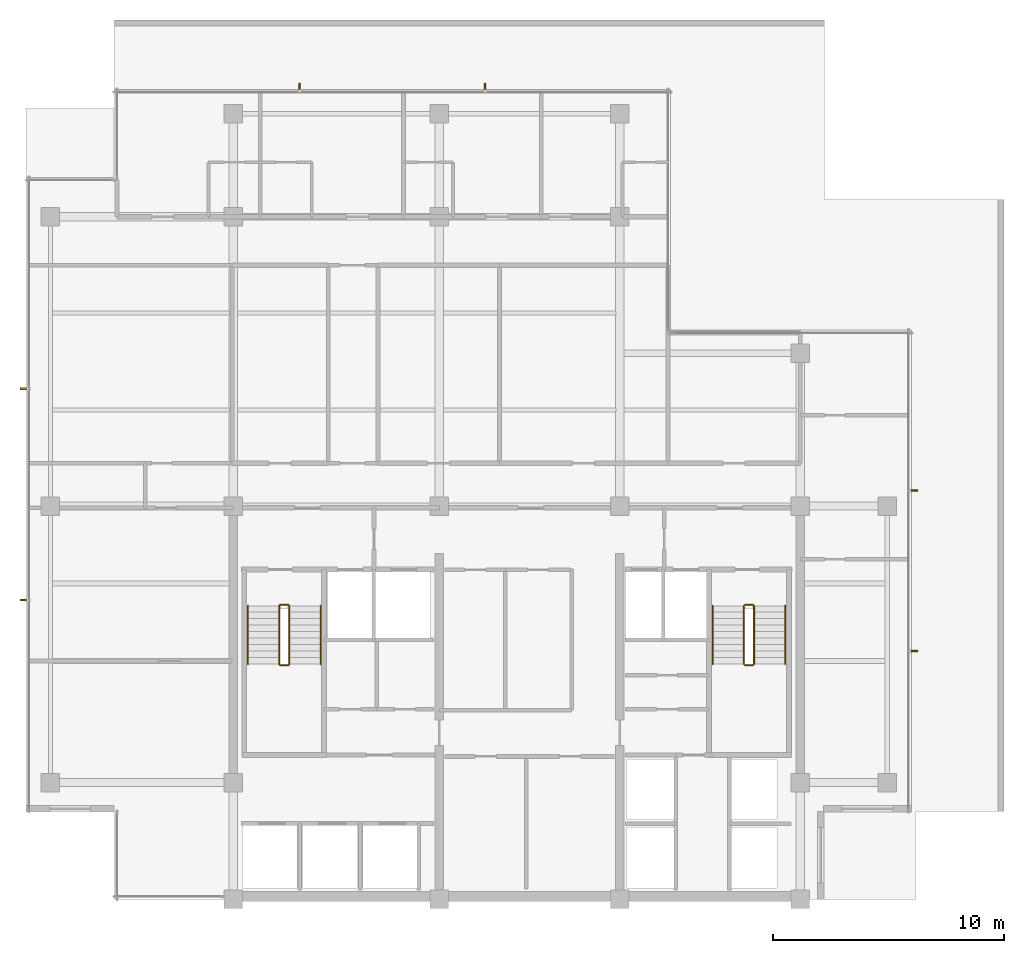
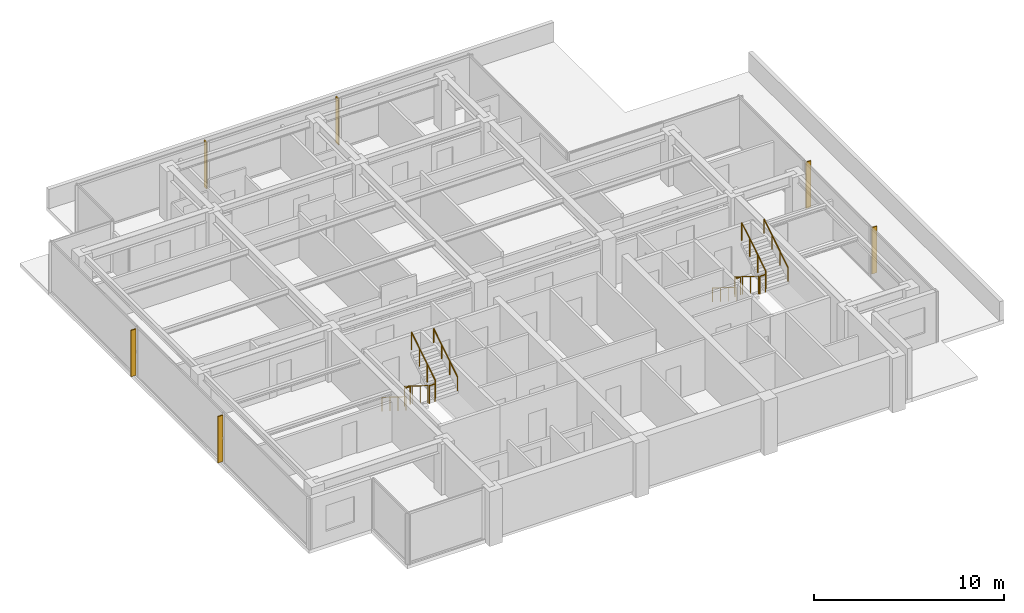
# One storey, part 11 of 11: 12 railings, 6 shading devices.
"""IFC4 building model written with IfcOpenShell, lengths in metres."""

import ifcopenshell
import ifcopenshell.guid

model = None  # the IFC model being written
_history = None  # IfcOwnerHistory: only IFC2X3 demands one
_inside = {}  # id of a spatial element -> (the spatial element, [elements in it])
_under = {}  # id of a project, library or spatial element -> (it, [spatial elements below it])
_declared = {}  # id of a project -> (the project, [libraries it declares])
_typed = {}  # id of a type object -> (the type object, [elements of that type])
_made_of = {}  # id of a material, layer set ... -> (it, [elements and type objects made of it])


def new_model(schema):
    """Start an empty IFC model of exactly this schema.

    Asked for "IFC4X3", IfcOpenShell would pick the latest addendum, in which some entities
    have other attributes; the version numbers below select the first issue.
    IFC2X3 requires an IfcOwnerHistory on every rooted entity: one is made here for all.
    """
    global model, _history
    if schema == "IFC4X3":
        model = ifcopenshell.file(schema_version=(4, 3, 0, 0))
    else:
        model = ifcopenshell.file(schema=schema)
    _inside.clear()
    _under.clear()
    _declared.clear()
    _typed.clear()
    _made_of.clear()
    _history = None
    if model.schema == "IFC2X3":
        org = make("IfcOrganization", Name="unknown")
        user = make(
            "IfcPersonAndOrganization",
            ThePerson=make("IfcPerson", FamilyName="unknown"),
            TheOrganization=org,
        )
        app = make(
            "IfcApplication",
            ApplicationDeveloper=org,
            Version="unknown",
            ApplicationFullName="unknown",
            ApplicationIdentifier="unknown",
        )
        _history = make(
            "IfcOwnerHistory",
            OwningUser=user,
            OwningApplication=app,
            ChangeAction="ADDED",
            CreationDate=0,
        )
    return model


def make(cls, **values):
    """One entity of the class cls with the attributes given. An attribute that is None is left unset."""
    return model.create_entity(
        cls, **{name: value for name, value in values.items() if value is not None}
    )


def rooted(cls, **values):
    """An entity with a GlobalId (a new one), such as an element, a storey or a relation."""
    return make(cls, GlobalId=ifcopenshell.guid.new(), OwnerHistory=_history, **values)


def si_unit(unit_type, name, prefix=None):
    """IfcSIUnit, for example si_unit("LENGTHUNIT", "METRE", prefix="MILLI")."""
    return make("IfcSIUnit", UnitType=unit_type, Prefix=prefix, Name=name)


def assignment(units):
    """IfcUnitAssignment: the units of a project."""
    return None if units is None else make("IfcUnitAssignment", Units=units)


def point(xyz):
    """IfcCartesianPoint."""
    return None if xyz is None else make("IfcCartesianPoint", Coordinates=xyz)


def direction(xyz):
    """IfcDirection."""
    return None if xyz is None else make("IfcDirection", DirectionRatios=xyz)


def frame(location, z_axis=None, x_axis=None):
    """IfcAxis2Placement3D, a coordinate frame: its origin and axes. An axis left out is left unset."""
    return make(
        "IfcAxis2Placement3D",
        Location=point(location),
        Axis=direction(z_axis),
        RefDirection=direction(x_axis),
    )


def frame_2d(location, x_axis=None):
    """IfcAxis2Placement2D, a coordinate frame in the plane: its origin and x axis."""
    return make(
        "IfcAxis2Placement2D", Location=point(location), RefDirection=direction(x_axis)
    )


def origin():
    """The frame at (0, 0, 0) with its axes left unset."""
    return frame((0.0, 0.0, 0.0))


def origin_2d():
    """The frame at (0, 0) in the plane with its x axis left unset."""
    return frame_2d((0.0, 0.0))


def place(relative_to, where):
    """IfcLocalPlacement: puts the frame where relative to a parent placement (None: the world)."""
    return make(
        "IfcLocalPlacement", PlacementRelTo=relative_to, RelativePlacement=where
    )


def context(
    kind, dimensions, precision=None, world=None, true_north=None, identifier=None
):
    """IfcGeometricRepresentationContext, for example the 3D "Model" context."""
    return make(
        "IfcGeometricRepresentationContext",
        ContextIdentifier=identifier,
        ContextType=kind,
        CoordinateSpaceDimension=dimensions,
        Precision=precision,
        WorldCoordinateSystem=world,
        TrueNorth=true_north,
    )


def subcontext(parent, identifier, kind, view, scale=None):
    """IfcGeometricRepresentationSubContext, for example "Body" below "Model"."""
    return make(
        "IfcGeometricRepresentationSubContext",
        ContextIdentifier=identifier,
        ContextType=kind,
        ParentContext=parent,
        TargetScale=scale,
        TargetView=view,
    )


def project(units=None, contexts=None):
    """IfcProject with its units and contexts."""
    return rooted(
        "IfcProject",
        Name="project",
        RepresentationContexts=contexts,
        UnitsInContext=assignment(units),
    )


def spatial(cls, under=None, at=None, **own):
    """A site, building, storey or space (cls), placed at a placement, below another one or the project."""
    s = rooted(cls, ObjectPlacement=at, **own)
    if under is not None:
        _under.setdefault(under.id(), (under, []))[1].append(s)
    return s


def polyline(points):
    """IfcPolyline through the points."""
    return make("IfcPolyline", Points=[point(p) for p in points])


def profile(cls, at=None, kind="AREA", **sizes):
    """A parametric profile (cls). Its sizes go by their IFC names, for example OverallWidth=200.0."""
    return make(cls, ProfileType=kind, Position=at, **sizes)


def circle(**sizes):
    """IfcCircleProfileDef."""
    return profile("IfcCircleProfileDef", **sizes)


def outline(outer, holes=None, kind="AREA"):
    """IfcArbitraryClosedProfileDef: a profile drawn as a closed curve; with holes, ...WithVoids."""
    if holes is None:
        return make("IfcArbitraryClosedProfileDef", ProfileType=kind, OuterCurve=outer)
    return make(
        "IfcArbitraryProfileDefWithVoids",
        ProfileType=kind,
        OuterCurve=outer,
        InnerCurves=holes,
    )


def extrude(swept, where, along, depth):
    """IfcExtrudedAreaSolid: the profile swept, set in the frame where, extruded along a direction by depth."""
    return make(
        "IfcExtrudedAreaSolid",
        SweptArea=swept,
        Position=where,
        ExtrudedDirection=direction(along),
        Depth=depth,
    )


def shape(context_of_items, identifier, shape_type, items):
    """IfcShapeRepresentation: the items that make up one representation, for example the "Body"."""
    return make(
        "IfcShapeRepresentation",
        ContextOfItems=context_of_items,
        RepresentationIdentifier=identifier,
        RepresentationType=shape_type,
        Items=items,
    )


def material(Name=None, Category=None):
    """IfcMaterial."""
    return make("IfcMaterial", Name=Name, Category=Category)


def layer(
    of_material, thickness, ventilated=None, Name=None, Category=None, Priority=None
):
    """IfcMaterialLayer: one layer of a wall or slab, of a material (None: an air gap)."""
    return make(
        "IfcMaterialLayer",
        Material=of_material,
        LayerThickness=thickness,
        IsVentilated=ventilated,
        Name=Name,
        Category=Category,
        Priority=Priority,
    )


def layer_set(layers, Name=None):
    """IfcMaterialLayerSet."""
    return make("IfcMaterialLayerSet", MaterialLayers=layers, LayerSetName=Name)


def made_of(thing, what):
    """Note that an element or type object is made of a material, layer set ...; save() writes the relation."""
    if what is not None:
        _made_of.setdefault(what.id(), (what, []))[1].append(thing)
    return thing


def type_object(cls, material=None, **own):
    """A type object (cls), such as IfcWallType, which elements share."""
    return made_of(rooted(cls, **own), material)


def element(
    cls,
    number,
    at=None,
    inside=None,
    cuts=None,
    type_object=None,
    material=None,
    context=None,
    identifier="Body",
    shape_type=None,
    held_by="IfcProductDefinitionShape",
    body=None,
    shapes=None,
    **own,
):
    """One element of the class cls, such as IfcWall. Its Tag is "e" and its number.

    at: its placement. inside: the storey or other place that contains it. cuts: it is an
    opening in that element (IfcRelVoidsElement). A single representation is given by context,
    identifier, shape_type and body (its items); several are given by shapes. held_by: the class
    of the entity that holds the representations. save() writes the other relations.
    """
    e = rooted(cls, Tag="e%d" % number, ObjectPlacement=at, **own)
    if body is not None:
        shapes = [shape(context, identifier, shape_type, body)]
    if shapes is not None:
        e.Representation = make(held_by, Representations=shapes)
    if inside is not None:
        _inside.setdefault(inside.id(), (inside, []))[1].append(e)
    if cuts is not None:
        rooted(
            "IfcRelVoidsElement", RelatingBuildingElement=cuts, RelatedOpeningElement=e
        )
    if type_object is not None:
        _typed.setdefault(type_object.id(), (type_object, []))[1].append(e)
    return made_of(e, material)


def aggregate(whole, parts):
    """IfcRelAggregates: a whole, such as a stair, and the parts it consists of."""
    return rooted("IfcRelAggregates", RelatingObject=whole, RelatedObjects=parts)


def save(model, path):
    """Write the relations noted so far, then the file.

    IfcRelAggregates (storeys below a building ...), IfcRelContainedInSpatialStructure (elements
    in a storey), IfcRelDefinesByType, IfcRelAssociatesMaterial and IfcRelDeclares: one each for
    every whole, place, type object, material and project.
    """
    for whole, parts in _under.values():
        aggregate(whole, parts)
    for where, things in _inside.values():
        rooted(
            "IfcRelContainedInSpatialStructure",
            RelatedElements=things,
            RelatingStructure=where,
        )
    for kind, things in _typed.values():
        rooted("IfcRelDefinesByType", RelatedObjects=things, RelatingType=kind)
    for what, things in _made_of.values():
        rooted("IfcRelAssociatesMaterial", RelatedObjects=things, RelatingMaterial=what)
    for by, libraries in _declared.values():
        rooted("IfcRelDeclares", RelatingContext=by, RelatedDefinitions=libraries)
    model.write(path)


model = new_model("IFC4")

# Units and contexts
model_context = context("Model", 3, precision=1e-05, world=origin(), true_north=direction((0.0, 1.0)))
body_context = subcontext(model_context, "Body", "Model", "MODEL_VIEW")
ifc_project = project(units=[si_unit("LENGTHUNIT", "METRE"), si_unit("AREAUNIT", "SQUARE_METRE"), si_unit("VOLUMEUNIT", "CUBIC_METRE"), si_unit("PLANEANGLEUNIT", "RADIAN"), si_unit("MASSUNIT", "GRAM", prefix="KILO")], contexts=[model_context])

# Site, building, storey
site_placement = place(None, origin())
site = spatial("IfcSite", under=ifc_project, at=site_placement, CompositionType="ELEMENT")
building_placement = place(site_placement, origin())
building = spatial("IfcBuilding", under=site, at=building_placement, Name="Qalmaran Belvedere Hotel", CompositionType="ELEMENT")
storey_placement = place(building_placement, frame((0.0, 0.0, 238.89990234375)))
storey = spatial("IfcBuildingStorey", under=building, at=storey_placement, Name="L61", CompositionType="ELEMENT", Elevation=238.89990234375)

# Shading devices
ifc_material_1 = material(Name="Anodised Bronze Aluminium", Category="aluminium")
ifc_layer = layer(ifc_material_1, 0.06494140625, Name="Anodised Bronze Aluminium")
ifc_layer_set = layer_set([ifc_layer], Name="Anodised Bronze Aluminium")
shading_device_type = type_object("IfcShadingDeviceType", Name="FIN-BRNZ-300", PredefinedType="USERDEFINED", material=ifc_layer_set)
shading_device_1_placement = place(storey_placement, frame((0.0, 0.0, 0.16015625)))
element("IfcShadingDevice", 1, at=shading_device_1_placement, inside=storey, type_object=shading_device_type, Name="L61 Bronze Fin 1", ObjectType="FIN", PredefinedType="USERDEFINED", context=body_context, shape_type="SweptSolid", body=[
    extrude(outline(polyline([(49.5673828125, 14.20068359375), (49.867431640625, 14.20068359375), (49.867431640625, 14.265869140625), (49.5673828125, 14.265869140625), (49.5673828125, 14.20068359375)])), origin(), (0.0, 0.0, 1.0), 2.97998046875),
])
shading_device_2_placement = place(storey_placement, frame((0.0, 0.0, 0.16015625)))
element("IfcShadingDevice", 2, at=shading_device_2_placement, inside=storey, type_object=shading_device_type, Name="L61 Bronze Fin 2", ObjectType="FIN", PredefinedType="USERDEFINED", context=body_context, shape_type="SweptSolid", body=[
    extrude(outline(polyline([(49.5673828125, 21.13427734375), (49.867431640625, 21.13427734375), (49.867431640625, 21.19921875), (49.5673828125, 21.19921875), (49.5673828125, 21.13427734375)])), origin(), (0.0, 0.0, 1.0), 2.97998046875),
])
shading_device_3_placement = place(storey_placement, frame((0.0, 0.0, 0.16015625)))
element("IfcShadingDevice", 3, at=shading_device_3_placement, inside=storey, type_object=shading_device_type, Name="L61 Bronze Fin 1", ObjectType="FIN", PredefinedType="USERDEFINED", context=body_context, shape_type="SweptSolid", body=[
    extrude(outline(polyline([(31.2158203125, 38.467529296875), (31.2158203125, 38.767578125), (31.15087890625, 38.767578125), (31.15087890625, 38.467529296875), (31.2158203125, 38.467529296875)])), origin(), (0.0, 0.0, 1.0), 2.97998046875),
])
shading_device_4_placement = place(storey_placement, frame((0.0, 0.0, 0.16015625)))
element("IfcShadingDevice", 4, at=shading_device_4_placement, inside=storey, type_object=shading_device_type, Name="L61 Bronze Fin 2", ObjectType="FIN", PredefinedType="USERDEFINED", context=body_context, shape_type="SweptSolid", body=[
    extrude(outline(polyline([(23.19921875, 38.467529296875), (23.19921875, 38.767578125), (23.13427734375, 38.767578125), (23.13427734375, 38.467529296875), (23.19921875, 38.467529296875)])), origin(), (0.0, 0.0, 1.0), 2.97998046875),
])
shading_device_5_placement = place(storey_placement, frame((0.0, 0.0, 0.16015625)))
element("IfcShadingDevice", 5, at=shading_device_5_placement, inside=storey, type_object=shading_device_type, Name="L61 Bronze Fin 1", ObjectType="FIN", PredefinedType="USERDEFINED", context=body_context, shape_type="SweptSolid", body=[
    extrude(outline(polyline([(11.382568359375, 25.59912109375), (11.08251953125, 25.59912109375), (11.08251953125, 25.5341796875), (11.382568359375, 25.5341796875), (11.382568359375, 25.59912109375)])), origin(), (0.0, 0.0, 1.0), 2.97998046875),
])
shading_device_6_placement = place(storey_placement, frame((0.0, 0.0, 0.16015625)))
element("IfcShadingDevice", 6, at=shading_device_6_placement, inside=storey, type_object=shading_device_type, Name="L61 Bronze Fin 2", ObjectType="FIN", PredefinedType="USERDEFINED", context=body_context, shape_type="SweptSolid", body=[
    extrude(outline(polyline([(11.382568359375, 16.4658203125), (11.08251953125, 16.4658203125), (11.08251953125, 16.40087890625), (11.382568359375, 16.40087890625), (11.382568359375, 16.4658203125)])), origin(), (0.0, 0.0, 1.0), 2.97998046875),
])

# Railings
ifc_material_2 = material(Name="Stainless Steel 1.4401", Category="steel")
railing_type_1 = type_object("IfcRailingType", Name="RLG-STAIR-GUARD-1150", PredefinedType="GUARDRAIL", material=ifc_material_2)
railing_1_placement = place(storey_placement, frame((22.280029296875, 16.18994140625, 0.175048828125)))
element("IfcRailing", 7, at=railing_1_placement, inside=storey, type_object=railing_type_1, Name="L61 ST-1 stair guard 1", PredefinedType="GUARDRAIL", context=body_context, shape_type="SweptSolid", body=[
    extrude(circle(Radius=0.02392578125, at=origin_2d()), frame((0.0, 0.0, 1.1259765625), z_axis=(0.0, -0.848007534815, 0.529984170421), x_axis=(1.0, 0.0, 0.0)), (0.0, 0.0, 1.0), 2.9716796875),
    extrude(circle(Radius=0.02099609375, at=origin_2d()), origin(), (0.0, 0.0, 1.0), 1.101806640625),
    extrude(circle(Radius=0.02099609375, at=origin_2d()), frame((0.0, -0.840087890625, 0.52490234375)), (0.0, 0.0, 1.0), 1.101806640625),
    extrude(circle(Radius=0.02099609375, at=origin_2d()), frame((0.0, -1.679931640625, 1.050048828125)), (0.0, 0.0, 1.0), 1.101806640625),
    extrude(circle(Radius=0.02099609375, at=origin_2d()), frame((0.0, -2.52001953125, 1.574951171875)), (0.0, 0.0, 1.0), 1.101806640625),
])
railing_2_placement = place(storey_placement, frame((22.330078125, 13.6201171875, 1.75)))
element("IfcRailing", 8, at=railing_2_placement, inside=storey, type_object=railing_type_1, Name="L61 ST-1 stair guard 2", PredefinedType="GUARDRAIL", context=body_context, shape_type="SweptSolid", body=[
    extrude(circle(Radius=0.02392578125, at=origin_2d()), frame((0.0, 0.0, 1.1259765625), z_axis=(1.0, 0.0, 0.0), x_axis=(0.0, 1.0, 0.0)), (0.0, 0.0, 1.0), 0.33984375),
    extrude(circle(Radius=0.02099609375, at=origin_2d()), origin(), (0.0, 0.0, 1.0), 1.101806640625),
    extrude(circle(Radius=0.02099609375, at=origin_2d()), frame((0.33984375, 0.0, 0.0)), (0.0, 0.0, 1.0), 1.101806640625),
])
railing_3_placement = place(storey_placement, frame((22.719970703125, 13.669921875, 1.925048828125)))
element("IfcRailing", 9, at=railing_3_placement, inside=storey, type_object=railing_type_1, Name="L61 ST-1 stair guard 3", PredefinedType="GUARDRAIL", context=body_context, shape_type="SweptSolid", body=[
    extrude(circle(Radius=0.02392578125, at=origin_2d()), frame((0.0, 0.0, 1.1259765625), z_axis=(0.0, 0.848007534815, 0.529984170421), x_axis=(-1.0, 0.0, 0.0)), (0.0, 0.0, 1.0), 2.9716796875),
    extrude(circle(Radius=0.02099609375, at=origin_2d()), origin(), (0.0, 0.0, 1.0), 1.101806640625),
    extrude(circle(Radius=0.02099609375, at=origin_2d()), frame((0.0, 0.840087890625, 0.52490234375)), (0.0, 0.0, 1.0), 1.101806640625),
    extrude(circle(Radius=0.02099609375, at=origin_2d()), frame((0.0, 1.679931640625, 1.050048828125)), (0.0, 0.0, 1.0), 1.101806640625),
    extrude(circle(Radius=0.02099609375, at=origin_2d()), frame((0.0, 2.52001953125, 1.574951171875)), (0.0, 0.0, 1.0), 1.101806640625),
])
railing_4_placement = place(storey_placement, frame((22.330078125, 16.239990234375, 0.0)))
element("IfcRailing", 10, at=railing_4_placement, inside=storey, type_object=railing_type_1, Name="L61 ST-1 stair guard 4", PredefinedType="GUARDRAIL", context=body_context, shape_type="SweptSolid", body=[
    extrude(circle(Radius=0.02392578125, at=origin_2d()), frame((0.0, 0.0, 1.1259765625), z_axis=(1.0, 0.0, 0.0), x_axis=(0.0, 1.0, 0.0)), (0.0, 0.0, 1.0), 0.33984375),
    extrude(circle(Radius=0.02099609375, at=origin_2d()), origin(), (0.0, 0.0, 1.0), 1.101806640625),
    extrude(circle(Radius=0.02099609375, at=origin_2d()), frame((0.33984375, 0.0, 0.0)), (0.0, 0.0, 1.0), 1.101806640625),
])
railing_5_placement = place(storey_placement, frame((42.360107421875, 16.18994140625, 0.175048828125)))
element("IfcRailing", 11, at=railing_5_placement, inside=storey, type_object=railing_type_1, Name="L61 ST-2 stair guard 1", PredefinedType="GUARDRAIL", context=body_context, shape_type="SweptSolid", body=[
    extrude(circle(Radius=0.02392578125, at=origin_2d()), frame((0.0, 0.0, 1.1259765625), z_axis=(0.0, -0.848007534815, 0.529984170421), x_axis=(1.0, 0.0, 0.0)), (0.0, 0.0, 1.0), 2.9716796875),
    extrude(circle(Radius=0.02099609375, at=origin_2d()), origin(), (0.0, 0.0, 1.0), 1.101806640625),
    extrude(circle(Radius=0.02099609375, at=origin_2d()), frame((0.0, -0.840087890625, 0.52490234375)), (0.0, 0.0, 1.0), 1.101806640625),
    extrude(circle(Radius=0.02099609375, at=origin_2d()), frame((0.0, -1.679931640625, 1.050048828125)), (0.0, 0.0, 1.0), 1.101806640625),
    extrude(circle(Radius=0.02099609375, at=origin_2d()), frame((0.0, -2.52001953125, 1.574951171875)), (0.0, 0.0, 1.0), 1.101806640625),
])
railing_6_placement = place(storey_placement, frame((42.409912109375, 13.6201171875, 1.75)))
element("IfcRailing", 12, at=railing_6_placement, inside=storey, type_object=railing_type_1, Name="L61 ST-2 stair guard 2", PredefinedType="GUARDRAIL", context=body_context, shape_type="SweptSolid", body=[
    extrude(circle(Radius=0.02392578125, at=origin_2d()), frame((0.0, 0.0, 1.1259765625), z_axis=(1.0, 0.0, 0.0), x_axis=(0.0, 1.0, 0.0)), (0.0, 0.0, 1.0), 0.340087890625),
    extrude(circle(Radius=0.02099609375, at=origin_2d()), origin(), (0.0, 0.0, 1.0), 1.101806640625),
    extrude(circle(Radius=0.02099609375, at=origin_2d()), frame((0.340087890625, 0.0, 0.0)), (0.0, 0.0, 1.0), 1.101806640625),
])
railing_7_placement = place(storey_placement, frame((42.800048828125, 13.669921875, 1.925048828125)))
element("IfcRailing", 13, at=railing_7_placement, inside=storey, type_object=railing_type_1, Name="L61 ST-2 stair guard 3", PredefinedType="GUARDRAIL", context=body_context, shape_type="SweptSolid", body=[
    extrude(circle(Radius=0.02392578125, at=origin_2d()), frame((0.0, 0.0, 1.1259765625), z_axis=(0.0, 0.848007534815, 0.529984170421), x_axis=(-1.0, 0.0, 0.0)), (0.0, 0.0, 1.0), 2.9716796875),
    extrude(circle(Radius=0.02099609375, at=origin_2d()), origin(), (0.0, 0.0, 1.0), 1.101806640625),
    extrude(circle(Radius=0.02099609375, at=origin_2d()), frame((0.0, 0.840087890625, 0.52490234375)), (0.0, 0.0, 1.0), 1.101806640625),
    extrude(circle(Radius=0.02099609375, at=origin_2d()), frame((0.0, 1.679931640625, 1.050048828125)), (0.0, 0.0, 1.0), 1.101806640625),
    extrude(circle(Radius=0.02099609375, at=origin_2d()), frame((0.0, 2.52001953125, 1.574951171875)), (0.0, 0.0, 1.0), 1.101806640625),
])
railing_8_placement = place(storey_placement, frame((42.409912109375, 16.239990234375, 0.0)))
element("IfcRailing", 14, at=railing_8_placement, inside=storey, type_object=railing_type_1, Name="L61 ST-2 stair guard 4", PredefinedType="GUARDRAIL", context=body_context, shape_type="SweptSolid", body=[
    extrude(circle(Radius=0.02392578125, at=origin_2d()), frame((0.0, 0.0, 1.1259765625), z_axis=(1.0, 0.0, 0.0), x_axis=(0.0, 1.0, 0.0)), (0.0, 0.0, 1.0), 0.340087890625),
    extrude(circle(Radius=0.02099609375, at=origin_2d()), origin(), (0.0, 0.0, 1.0), 1.101806640625),
    extrude(circle(Radius=0.02099609375, at=origin_2d()), frame((0.340087890625, 0.0, 0.0)), (0.0, 0.0, 1.0), 1.101806640625),
])
railing_type_2 = type_object("IfcRailingType", Name="RLG-STAIR-HAND-910", PredefinedType="HANDRAIL", material=ifc_material_2)
railing_9_placement = place(storey_placement, frame((20.929931640625, 16.18994140625, 0.175048828125)))
element("IfcRailing", 15, at=railing_9_placement, inside=storey, type_object=railing_type_2, Name="L61 ST-1 stair handrail 1", PredefinedType="HANDRAIL", context=body_context, shape_type="SweptSolid", body=[
    extrude(circle(Radius=0.02392578125, at=origin_2d()), frame((0.0, 0.0, 0.8857421875), z_axis=(0.0, -0.848007534815, 0.529984170421), x_axis=(1.0, 0.0, 0.0)), (0.0, 0.0, 1.0), 2.9716796875),
    extrude(circle(Radius=0.02099609375, at=origin_2d()), origin(), (0.0, 0.0, 1.0), 0.86181640625),
    extrude(circle(Radius=0.02099609375, at=origin_2d()), frame((0.0, -0.840087890625, 0.52490234375)), (0.0, 0.0, 1.0), 0.86181640625),
    extrude(circle(Radius=0.02099609375, at=origin_2d()), frame((0.0, -1.679931640625, 1.050048828125)), (0.0, 0.0, 1.0), 0.86181640625),
    extrude(circle(Radius=0.02099609375, at=origin_2d()), frame((0.0, -2.52001953125, 1.574951171875)), (0.0, 0.0, 1.0), 0.86181640625),
])
railing_10_placement = place(storey_placement, frame((24.070068359375, 13.669921875, 1.925048828125)))
element("IfcRailing", 16, at=railing_10_placement, inside=storey, type_object=railing_type_2, Name="L61 ST-1 stair handrail 2", PredefinedType="HANDRAIL", context=body_context, shape_type="SweptSolid", body=[
    extrude(circle(Radius=0.02392578125, at=origin_2d()), frame((0.0, 0.0, 0.8857421875), z_axis=(0.0, 0.848007534815, 0.529984170421), x_axis=(-1.0, 0.0, 0.0)), (0.0, 0.0, 1.0), 2.9716796875),
    extrude(circle(Radius=0.02099609375, at=origin_2d()), origin(), (0.0, 0.0, 1.0), 0.86181640625),
    extrude(circle(Radius=0.02099609375, at=origin_2d()), frame((0.0, 0.840087890625, 0.52490234375)), (0.0, 0.0, 1.0), 0.86181640625),
    extrude(circle(Radius=0.02099609375, at=origin_2d()), frame((0.0, 1.679931640625, 1.050048828125)), (0.0, 0.0, 1.0), 0.86181640625),
    extrude(circle(Radius=0.02099609375, at=origin_2d()), frame((0.0, 2.52001953125, 1.574951171875)), (0.0, 0.0, 1.0), 0.86181640625),
])
railing_11_placement = place(storey_placement, frame((41.010009765625, 16.18994140625, 0.175048828125)))
element("IfcRailing", 17, at=railing_11_placement, inside=storey, type_object=railing_type_2, Name="L61 ST-2 stair handrail 1", PredefinedType="HANDRAIL", context=body_context, shape_type="SweptSolid", body=[
    extrude(circle(Radius=0.02392578125, at=origin_2d()), frame((0.0, 0.0, 0.8857421875), z_axis=(0.0, -0.848007534815, 0.529984170421), x_axis=(1.0, 0.0, 0.0)), (0.0, 0.0, 1.0), 2.9716796875),
    extrude(circle(Radius=0.02099609375, at=origin_2d()), origin(), (0.0, 0.0, 1.0), 0.86181640625),
    extrude(circle(Radius=0.02099609375, at=origin_2d()), frame((0.0, -0.840087890625, 0.52490234375)), (0.0, 0.0, 1.0), 0.86181640625),
    extrude(circle(Radius=0.02099609375, at=origin_2d()), frame((0.0, -1.679931640625, 1.050048828125)), (0.0, 0.0, 1.0), 0.86181640625),
    extrude(circle(Radius=0.02099609375, at=origin_2d()), frame((0.0, -2.52001953125, 1.574951171875)), (0.0, 0.0, 1.0), 0.86181640625),
])
railing_12_placement = place(storey_placement, frame((44.14990234375, 13.669921875, 1.925048828125)))
element("IfcRailing", 18, at=railing_12_placement, inside=storey, type_object=railing_type_2, Name="L61 ST-2 stair handrail 2", PredefinedType="HANDRAIL", context=body_context, shape_type="SweptSolid", body=[
    extrude(circle(Radius=0.02392578125, at=origin_2d()), frame((0.0, 0.0, 0.8857421875), z_axis=(0.0, 0.848007534815, 0.529984170421), x_axis=(-1.0, 0.0, 0.0)), (0.0, 0.0, 1.0), 2.9716796875),
    extrude(circle(Radius=0.02099609375, at=origin_2d()), origin(), (0.0, 0.0, 1.0), 0.86181640625),
    extrude(circle(Radius=0.02099609375, at=origin_2d()), frame((0.0, 0.840087890625, 0.52490234375)), (0.0, 0.0, 1.0), 0.86181640625),
    extrude(circle(Radius=0.02099609375, at=origin_2d()), frame((0.0, 1.679931640625, 1.050048828125)), (0.0, 0.0, 1.0), 0.86181640625),
    extrude(circle(Radius=0.02099609375, at=origin_2d()), frame((0.0, 2.52001953125, 1.574951171875)), (0.0, 0.0, 1.0), 0.86181640625),
])

save(model, "model.ifc")
